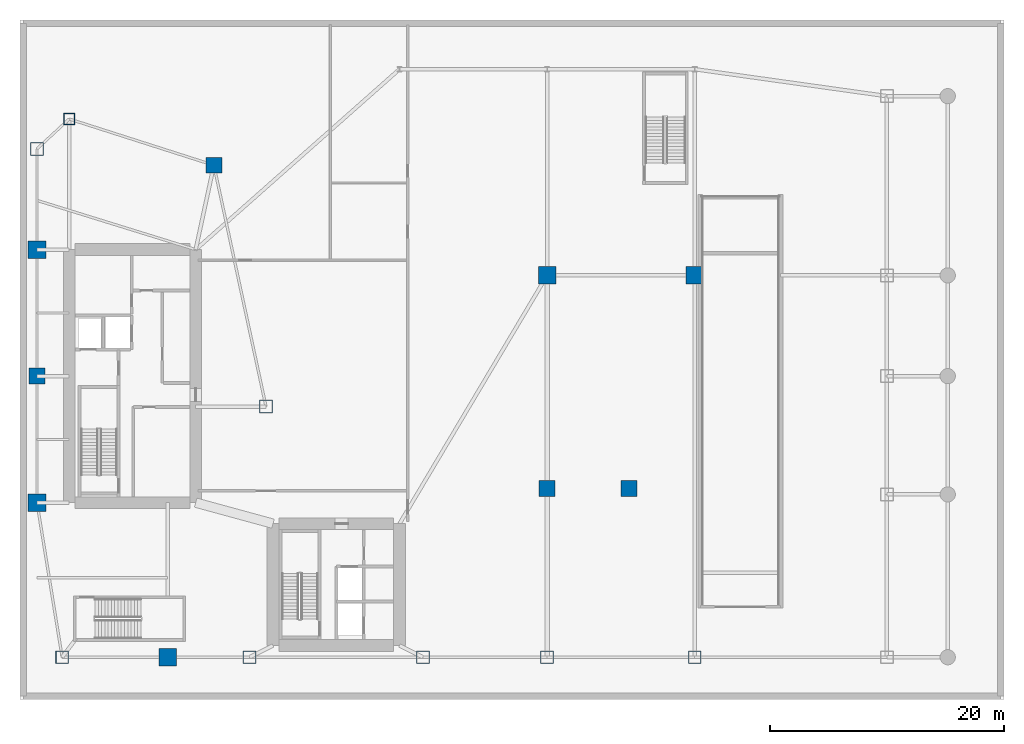
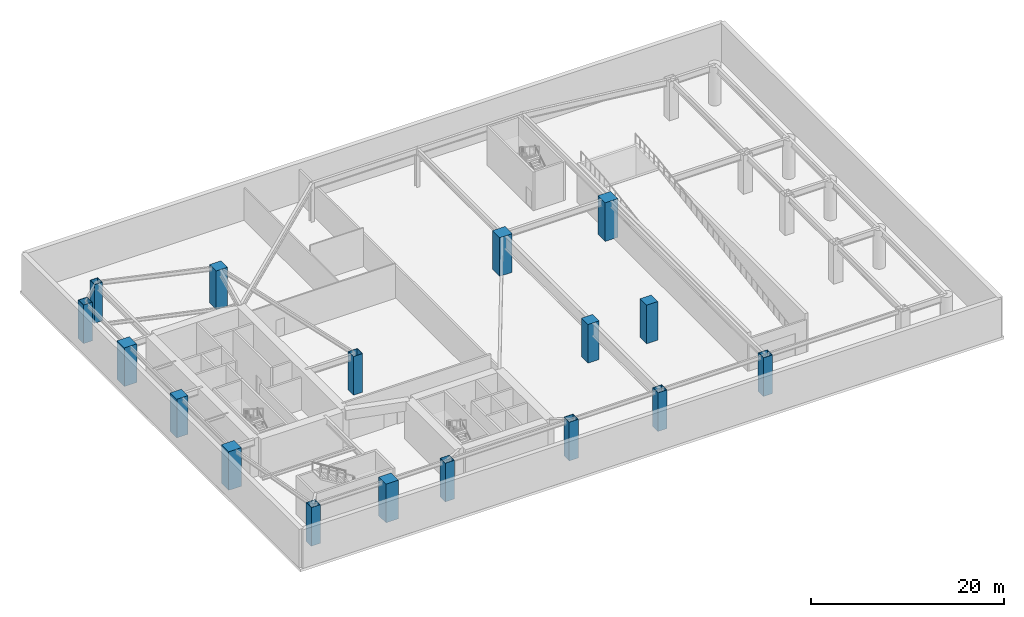
# One storey, part 1 of 13: 17 columns.
"""IFC4 building model written with IfcOpenShell, lengths in metres."""

from ifc_helpers import new_model, si_unit, direction, frame, origin, origin_2d, place, context, subcontext, project, spatial, rectangle, hollow_rectangle, extrude, material, material_profile, profile_set, type_object, element, save


model = new_model("IFC4")

# Units and contexts
model_context = context("Model", 3, precision=1e-05, world=origin(), true_north=direction((0.0, 1.0)))
body_context = subcontext(model_context, "Body", "Model", "MODEL_VIEW")
ifc_project = project(units=[si_unit("LENGTHUNIT", "METRE"), si_unit("AREAUNIT", "SQUARE_METRE"), si_unit("VOLUMEUNIT", "CUBIC_METRE"), si_unit("PLANEANGLEUNIT", "RADIAN"), si_unit("MASSUNIT", "GRAM", prefix="KILO")], contexts=[model_context])

# Site, building, storey
site_placement = place(None, origin())
site = spatial("IfcSite", under=ifc_project, at=site_placement, CompositionType="ELEMENT")
building_placement = place(site_placement, origin())
building = spatial("IfcBuilding", under=site, at=building_placement, Name="Calvorn Quay Hotel", CompositionType="ELEMENT")
storey_placement = place(building_placement, frame((0.0, 0.0, -5.199951171875)))
storey = spatial("IfcBuildingStorey", under=building, at=storey_placement, Name="B1", CompositionType="ELEMENT", Elevation=-5.199951171875)

# Columns
ifc_material_1 = material(Name="Concrete C60", Category="concrete")
ifc_material_profile_1 = material_profile(ifc_material_1, rectangle(XDim=1.35009765625, YDim=1.35009765625, at=origin_2d()), Name="RC1350x1350")
ifc_profile_set_1 = profile_set([ifc_material_profile_1], Name="Concrete C60")
column_type_1 = type_object("IfcColumnType", Name="COL-RC-1350", PredefinedType="COLUMN", material=ifc_profile_set_1)
for number, where, z_axis, x_axis, name in (
    (1, (1.449951171875, 27.60009765625, 0.0), (0.0, 0.0, 1.0), (1.0, 0.0, 0.0), "Column C-W3 (B1)"),
    (2, (16.550048828125, 45.60009765625, 0.0), (0.0, 0.0, 1.0), (1.0, 0.0, 0.0), "Column C-IC1 (B1)"),
    (3, (45.0, 18.0, 0.0), (0.0, 0.0, 1.0), (1.0, 0.0, 0.0), "Column C-BM1 (B1)"),
    (4, (52.0, 18.0, 0.0), (0.0, 0.0, 1.0), (1.0, 0.0, 0.0), "Column C-BM2 (B1)"),
):
    element("IfcColumn", number, at=place(storey_placement, frame(where, z_axis=z_axis, x_axis=x_axis)), inside=storey, type_object=column_type_1, Name=name, PredefinedType="COLUMN", context=body_context, shape_type="SweptSolid", body=[
        extrude(rectangle(XDim=1.35009765625, YDim=1.35009765625, at=origin_2d()), origin(), (0.0, 0.0, 1.0), 4.8798828125),
    ])
ifc_material_2 = material(Name="Concrete C60", Category="concrete")
ifc_material_profile_2 = material_profile(ifc_material_2, rectangle(XDim=1.5, YDim=1.5, at=origin_2d()), Name="RC1500x1500")
ifc_profile_set_2 = profile_set([ifc_material_profile_2], Name="Concrete C60")
column_type_2 = type_object("IfcColumnType", Name="COL-RC-1500", PredefinedType="COLUMN", material=ifc_profile_set_2)
for number, where, z_axis, x_axis, name in (
    (5, (1.449951171875, 16.800048828125, 0.0), (0.0, 0.0, 1.0), (1.0, 0.0, 0.0), "Column C-W2 (B1)"),
    (6, (1.449951171875, 38.39990234375, 0.0), (0.0, 0.0, 1.0), (1.0, 0.0, 0.0), "Column C-W4 (B1)"),
    (7, (12.60009765625, 3.60009765625, 0.0), (0.0, 0.0, 1.0), (1.0, 0.0, 0.0), "Column C-S1 (B1)"),
    (8, (45.0, 36.199951171875, 0.0), (0.0, 0.0, 1.0), (1.0, 0.0, 0.0), "Column C-PN1 (B1)"),
    (9, (57.60009765625, 36.199951171875, 0.0), (0.0, 0.0, 1.0), (1.0, 0.0, 0.0), "Column C-PN2 (B1)"),
):
    element("IfcColumn", number, at=place(storey_placement, frame(where, z_axis=z_axis, x_axis=x_axis)), inside=storey, type_object=column_type_2, Name=name, PredefinedType="COLUMN", context=body_context, shape_type="SweptSolid", body=[
        extrude(rectangle(XDim=1.5, YDim=1.5, at=origin_2d()), origin(), (0.0, 0.0, 1.0), 4.8798828125),
    ])
ifc_material_3 = material(Name="Steel Q420GJC", Category="steel")
ifc_material_profile_3 = material_profile(ifc_material_3, hollow_rectangle(XDim=1.10009765625, YDim=1.10009765625, WallThickness=0.044921875, at=origin_2d()), Name="BOX1100x1100x45")
ifc_profile_set_3 = profile_set([ifc_material_profile_3], Name="Steel Q420GJC")
column_type_3 = type_object("IfcColumnType", Name="COL-STL-MEGA1", PredefinedType="COLUMN", material=ifc_profile_set_3)
for number, where, z_axis, x_axis, name in (
    (10, (3.60009765625, 3.60009765625, 0.0), (0.0, 0.0, 1.0), (1.0, 0.0, 0.0), "Column C-W1 (B1)"),
    (11, (1.449951171875, 47.0, 0.0), (0.0, 0.0, 1.0), (1.0, 0.0, 0.0), "Column C-W5 (B1)"),
    (12, (21.0, 25.0, 0.0), (0.0, 0.0, 1.0), (1.0, 0.0, 0.0), "Column C-IC2 (B1)"),
    (13, (19.60009765625, 3.60009765625, 0.0), (0.0, 0.0, 1.0), (1.0, 0.0, 0.0), "Column C-S2 (B1)"),
    (14, (34.39990234375, 3.60009765625, 0.0), (0.0, 0.0, 1.0), (1.0, 0.0, 0.0), "Column C-S3 (B1)"),
    (15, (45.0, 3.60009765625, 0.0), (0.0, 0.0, 1.0), (1.0, 0.0, 0.0), "Column C-PS4 (B1)"),
    (16, (57.60009765625, 3.60009765625, 0.0), (0.0, 0.0, 1.0), (1.0, 0.0, 0.0), "Column C-PS5 (B1)"),
):
    element("IfcColumn", number, at=place(storey_placement, frame(where, z_axis=z_axis, x_axis=x_axis)), inside=storey, type_object=column_type_3, Name=name, PredefinedType="COLUMN", context=body_context, shape_type="SweptSolid", body=[
        extrude(hollow_rectangle(XDim=1.10009765625, YDim=1.10009765625, WallThickness=0.044921875, at=origin_2d()), origin(), (0.0, 0.0, 1.0), 4.8798828125),
    ])
ifc_material_4 = material(Name="Steel Q420GJC", Category="steel")
ifc_material_profile_4 = material_profile(ifc_material_4, hollow_rectangle(XDim=0.949951171875, YDim=0.949951171875, WallThickness=0.0400390625, at=origin_2d()), Name="BOX950x950x40")
ifc_profile_set_4 = profile_set([ifc_material_profile_4], Name="Steel Q420GJC")
column_type_4 = type_object("IfcColumnType", Name="COL-STL-MEGA2", PredefinedType="COLUMN", material=ifc_profile_set_4)
column_placement = place(storey_placement, frame((4.199951171875, 49.550048828125, 0.0), z_axis=(0.0, 0.0, 1.0), x_axis=(1.0, 0.0, 0.0)))
element("IfcColumn", 17, at=column_placement, inside=storey, type_object=column_type_4, Name="Column C-NW1 (B1)", PredefinedType="COLUMN", context=body_context, shape_type="SweptSolid", body=[
    extrude(hollow_rectangle(XDim=0.949951171875, YDim=0.949951171875, WallThickness=0.0400390625, at=origin_2d()), origin(), (0.0, 0.0, 1.0), 4.8798828125),
])

save(model, "model.ifc")
